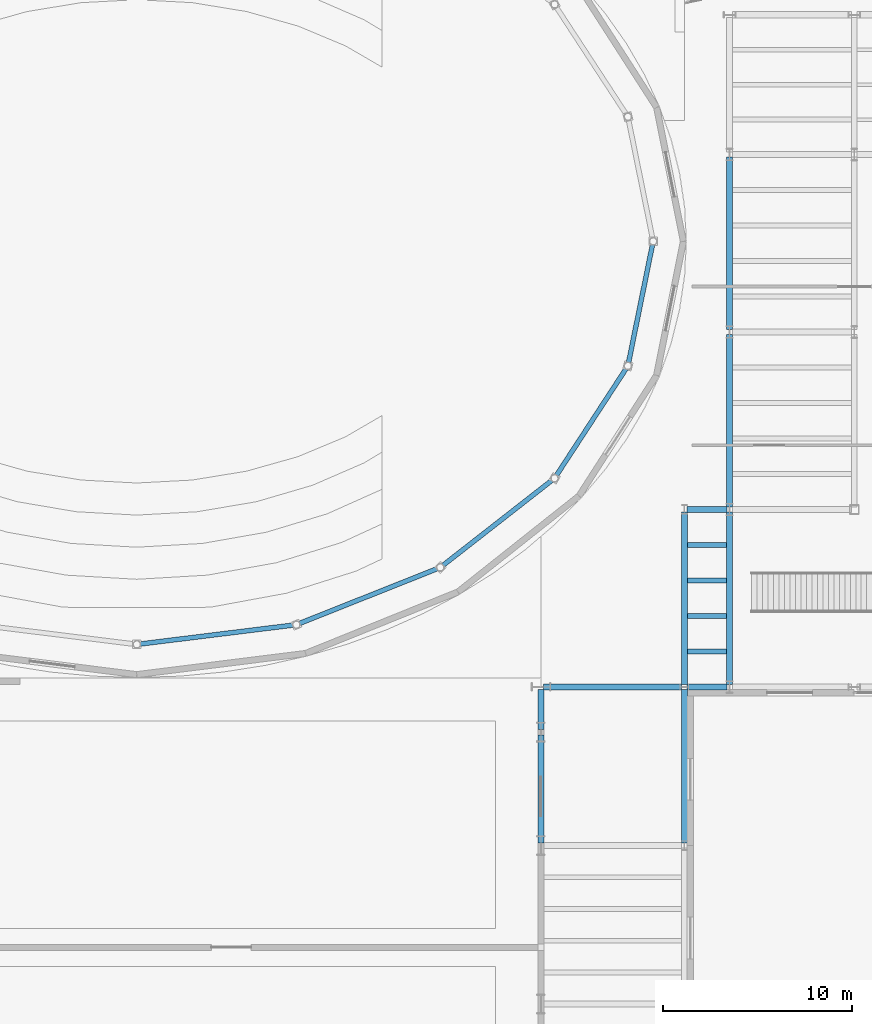
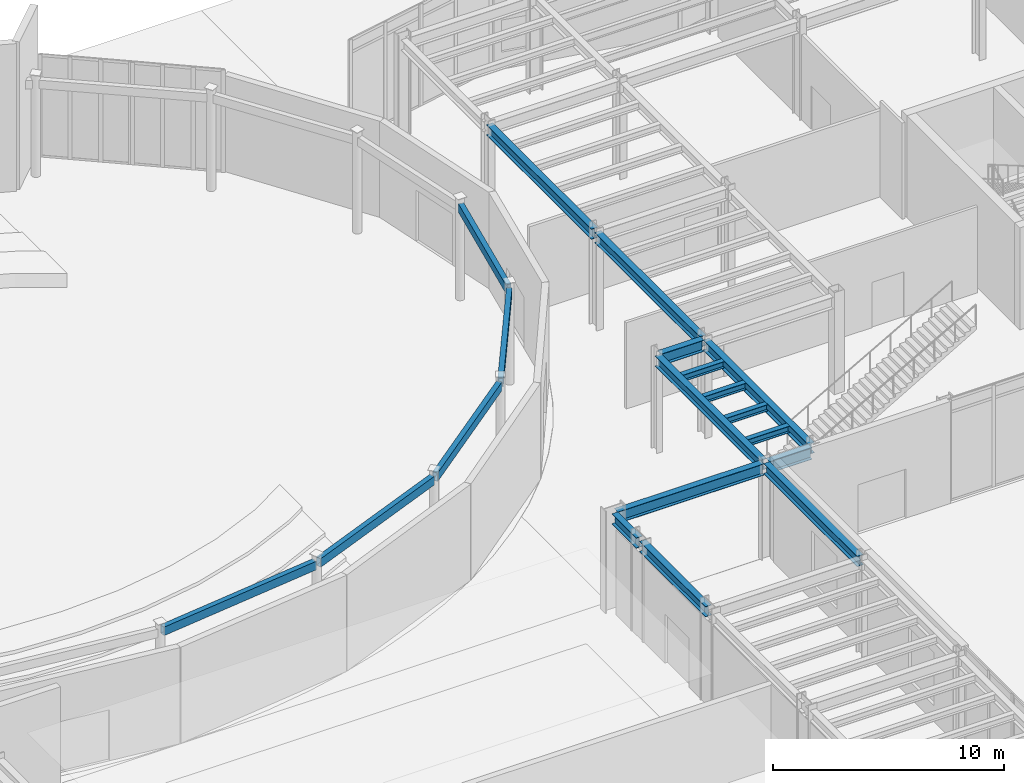
# One storey, part 37 of 94: 19 beams.
"""IFC4 building model written with IfcOpenShell, lengths in metres."""

from ifc_helpers import new_model, si_unit, direction, frame, origin, origin_2d, place, context, subcontext, project, spatial, hollow_rectangle, i_section, extrude, material, material_profile, profile_set, type_object, element, save


model = new_model("IFC4")

# Units and contexts
model_context = context("Model", 3, precision=1e-05, world=origin(), true_north=direction((0.0, 1.0)))
body_context = subcontext(model_context, "Body", "Model", "MODEL_VIEW")
ifc_project = project(units=[si_unit("LENGTHUNIT", "METRE"), si_unit("AREAUNIT", "SQUARE_METRE"), si_unit("VOLUMEUNIT", "CUBIC_METRE"), si_unit("PLANEANGLEUNIT", "RADIAN"), si_unit("MASSUNIT", "GRAM", prefix="KILO")], contexts=[model_context])

# Site, building, storey
site_placement = place(None, origin())
site = spatial("IfcSite", under=ifc_project, at=site_placement, CompositionType="ELEMENT")
building_placement = place(site_placement, origin())
building = spatial("IfcBuilding", under=site, at=building_placement, Name="Sollismere Congress Hotel", CompositionType="ELEMENT")
storey_placement = place(building_placement, origin())
storey = spatial("IfcBuildingStorey", under=building, at=storey_placement, Name="L00", CompositionType="ELEMENT", Elevation=0.0)

# Beams
ifc_material_1 = material(Name="Steel ASTM A500 Grade C", Category="steel")
ifc_material_profile_1 = material_profile(ifc_material_1, hollow_rectangle(XDim=0.25, YDim=0.449951171875, WallThickness=0.01611328125, at=origin_2d()), Name="HSS450X250X16")
ifc_profile_set_1 = profile_set([ifc_material_profile_1], Name="Steel ASTM A500 Grade C")
beam_type_1 = type_object("IfcBeamType", Name="BM-BX450", PredefinedType="HOLLOWCORE", material=ifc_profile_set_1)
beam_1_placement = place(storey_placement, frame((29.119140625, 69.064697265625, 4.889892578125), z_axis=(0.992444891413, 0.122691228327, 0.0), x_axis=(-0.122691228327, 0.992444891413, 0.0)))
element("IfcBeam", 1, at=beam_1_placement, inside=storey, type_object=beam_type_1, Name="Beam BM-L00-4181", PredefinedType="HOLLOWCORE", context=body_context, shape_type="SweptSolid", body=[
    extrude(hollow_rectangle(XDim=0.25, YDim=0.449951171875, WallThickness=0.01611328125, at=origin_2d()), origin(), (0.0, 0.0, 1.0), 8.27587890625),
])
beam_2_placement = place(storey_placement, frame((37.56298828125, 70.139404296875, 4.889892578125), z_axis=(0.929208384376, 0.369556191134, 0.0), x_axis=(-0.369556191134, 0.929208384376, 0.0)))
element("IfcBeam", 2, at=beam_2_placement, inside=storey, type_object=beam_type_1, Name="Beam BM-L00-4182", PredefinedType="HOLLOWCORE", context=body_context, shape_type="SweptSolid", body=[
    extrude(hollow_rectangle(XDim=0.25, YDim=0.449951171875, WallThickness=0.01611328125, at=origin_2d()), origin(), (0.0, 0.0, 1.0), 7.96533203125),
])
beam_3_placement = place(storey_placement, frame((45.17041015625, 73.201416015625, 4.889892578125), z_axis=(0.788263734949, 0.615337536775, 0.0), x_axis=(-0.615337536775, 0.788263734949, 0.0)))
element("IfcBeam", 3, at=beam_3_placement, inside=storey, type_object=beam_type_1, Name="Beam BM-L00-4183", PredefinedType="HOLLOWCORE", context=body_context, shape_type="SweptSolid", body=[
    extrude(hollow_rectangle(XDim=0.25, YDim=0.449951171875, WallThickness=0.01611328125, at=origin_2d()), origin(), (0.0, 0.0, 1.0), 7.43603515625),
])
beam_4_placement = place(storey_placement, frame((51.192138671875, 77.951416015625, 4.889892578125), z_axis=(0.546609343854, 0.837387738871, 0.0), x_axis=(-0.837387738871, 0.546609343854, 0.0)))
element("IfcBeam", 4, at=beam_4_placement, inside=storey, type_object=beam_type_1, Name="Beam BM-L00-4184", PredefinedType="HOLLOWCORE", context=body_context, shape_type="SweptSolid", body=[
    extrude(hollow_rectangle(XDim=0.25, YDim=0.449951171875, WallThickness=0.01611328125, at=origin_2d()), origin(), (0.0, 0.0, 1.0), 6.8671875),
])
beam_5_placement = place(storey_placement, frame((55.035400390625, 83.920166015625, 4.889892578125), z_axis=(0.198827417532, 0.980034518799, 0.0), x_axis=(-0.980034518799, 0.198827417532, 0.0)))
element("IfcBeam", 5, at=beam_5_placement, inside=storey, type_object=beam_type_1, Name="Beam BM-L00-4185", PredefinedType="HOLLOWCORE", context=body_context, shape_type="SweptSolid", body=[
    extrude(hollow_rectangle(XDim=0.25, YDim=0.449951171875, WallThickness=0.01611328125, at=origin_2d()), origin(), (0.0, 0.0, 1.0), 6.491943359375),
])
ifc_material_2 = material(Name="Steel ASTM A992 Grade 50", Category="steel")
ifc_material_profile_2 = material_profile(ifc_material_2, i_section(OverallWidth=0.31494140625, OverallDepth=0.551025390625, WebThickness=0.01513671875, FlangeThickness=0.0244140625, at=origin_2d()), Name="W21X122")
ifc_profile_set_2 = profile_set([ifc_material_profile_2], Name="Steel ASTM A992 Grade 50")
beam_type_2 = type_object("IfcBeamType", Name="BM-G21H", PredefinedType="BEAM", material=ifc_profile_set_2)
beam_6_placement = place(storey_placement, frame((50.39990234375, 58.5400390625, 4.839599609375), z_axis=(0.0, 1.0, 0.0), x_axis=(-1.0, 0.0, 0.0)))
element("IfcBeam", 6, at=beam_6_placement, inside=storey, type_object=beam_type_2, Name="Beam BM-L00-1243", PredefinedType="BEAM", context=body_context, shape_type="SweptSolid", body=[
    extrude(i_section(OverallWidth=0.31494140625, OverallDepth=0.551025390625, WebThickness=0.01513671875, FlangeThickness=0.0244140625, at=origin_2d()), origin(), (0.0, 0.0, 1.0), 5.719970703125),
])
beam_7_placement = place(storey_placement, frame((50.39990234375, 64.5400390625, 4.839599609375), z_axis=(0.0, 1.0, 0.0), x_axis=(-1.0, 0.0, 0.0)))
element("IfcBeam", 7, at=beam_7_placement, inside=storey, type_object=beam_type_2, Name="Beam BM-L00-1244", PredefinedType="BEAM", context=body_context, shape_type="SweptSolid", body=[
    extrude(i_section(OverallWidth=0.31494140625, OverallDepth=0.551025390625, WebThickness=0.01513671875, FlangeThickness=0.0244140625, at=origin_2d()), origin(), (0.0, 0.0, 1.0), 2.119873046875),
])
beam_8_placement = place(storey_placement, frame((58.0, 58.5400390625, 4.839599609375), z_axis=(0.0, 1.0, 0.0), x_axis=(-1.0, 0.0, 0.0)))
element("IfcBeam", 8, at=beam_8_placement, inside=storey, type_object=beam_type_2, Name="Beam BM-L00-1250", PredefinedType="BEAM", context=body_context, shape_type="SweptSolid", body=[
    extrude(i_section(OverallWidth=0.31494140625, OverallDepth=0.551025390625, WebThickness=0.01513671875, FlangeThickness=0.0244140625, at=origin_2d()), origin(), (0.0, 0.0, 1.0), 8.119873046875),
])
for number, where, z_axis, x_axis, name in (
    (9, (58.0, 66.93994140625, 4.839599609375), (0.0, 1.0, 0.0), (-1.0, 0.0, 0.0), "Beam BM-L00-1251"),
    (10, (60.39990234375, 66.93994140625, 4.839599609375), (0.0, 1.0, 0.0), (-1.0, 0.0, 0.0), "Beam BM-L00-1252"),
):
    element("IfcBeam", number, at=place(storey_placement, frame(where, z_axis=z_axis, x_axis=x_axis)), inside=storey, type_object=beam_type_2, Name=name, PredefinedType="BEAM", context=body_context, shape_type="SweptSolid", body=[
        extrude(i_section(OverallWidth=0.31494140625, OverallDepth=0.551025390625, WebThickness=0.01513671875, FlangeThickness=0.0244140625, at=origin_2d()), origin(), (0.0, 0.0, 1.0), 9.1201171875),
    ])
beam_9_placement = place(storey_placement, frame((60.39990234375, 76.340087890625, 4.839599609375), z_axis=(0.0, 1.0, 0.0), x_axis=(-1.0, 0.0, 0.0)))
element("IfcBeam", 11, at=beam_9_placement, inside=storey, type_object=beam_type_2, Name="Beam BM-L00-1253", PredefinedType="BEAM", context=body_context, shape_type="SweptSolid", body=[
    extrude(i_section(OverallWidth=0.31494140625, OverallDepth=0.551025390625, WebThickness=0.01513671875, FlangeThickness=0.0244140625, at=origin_2d()), origin(), (0.0, 0.0, 1.0), 9.119873046875),
])
beam_10_placement = place(storey_placement, frame((60.39990234375, 85.739990234375, 4.839599609375), z_axis=(0.0, 1.0, 0.0), x_axis=(-1.0, 0.0, 0.0)))
element("IfcBeam", 12, at=beam_10_placement, inside=storey, type_object=beam_type_2, Name="Beam BM-L00-1254", PredefinedType="BEAM", context=body_context, shape_type="SweptSolid", body=[
    extrude(i_section(OverallWidth=0.31494140625, OverallDepth=0.551025390625, WebThickness=0.01513671875, FlangeThickness=0.0244140625, at=origin_2d()), origin(), (0.0, 0.0, 1.0), 9.1201171875),
])
ifc_material_profile_3 = material_profile(ifc_material_2, i_section(OverallWidth=0.324951171875, OverallDepth=0.612060546875, WebThickness=0.0126953125, FlangeThickness=0.01904296875, at=origin_2d()), Name="W24X104")
ifc_profile_set_3 = profile_set([ifc_material_profile_3], Name="Steel ASTM A992 Grade 50")
beam_type_3 = type_object("IfcBeamType", Name="BM-G24", PredefinedType="BEAM", material=ifc_profile_set_3)
beam_11_placement = place(storey_placement, frame((50.5400390625, 66.800048828125, 4.80908203125), z_axis=(1.0, 0.0, 0.0), x_axis=(0.0, 1.0, 0.0)))
element("IfcBeam", 13, at=beam_11_placement, inside=storey, type_object=beam_type_3, Name="Beam BM-L00-1187", PredefinedType="BEAM", context=body_context, shape_type="SweptSolid", body=[
    extrude(i_section(OverallWidth=0.324951171875, OverallDepth=0.612060546875, WebThickness=0.0126953125, FlangeThickness=0.01904296875, at=origin_2d()), origin(), (0.0, 0.0, 1.0), 7.320068359375),
])
for number, where, z_axis, x_axis, name in (
    (14, (58.139892578125, 66.800048828125, 4.80908203125), (1.0, 0.0, 0.0), (0.0, 1.0, 0.0), "Beam BM-L00-1188"),
    (15, (58.139892578125, 76.199951171875, 4.80908203125), (1.0, 0.0, 0.0), (0.0, 1.0, 0.0), "Beam BM-L00-1200"),
):
    element("IfcBeam", number, at=place(storey_placement, frame(where, z_axis=z_axis, x_axis=x_axis)), inside=storey, type_object=beam_type_3, Name=name, PredefinedType="BEAM", context=body_context, shape_type="SweptSolid", body=[
        extrude(i_section(OverallWidth=0.324951171875, OverallDepth=0.612060546875, WebThickness=0.0126953125, FlangeThickness=0.01904296875, at=origin_2d()), origin(), (0.0, 0.0, 1.0), 2.1201171875),
    ])
ifc_material_profile_4 = material_profile(ifc_material_2, i_section(OverallWidth=0.25390625, OverallDepth=0.35595703125, WebThickness=0.010498046875, FlangeThickness=0.018310546875, at=origin_2d()), Name="W14X68")
ifc_profile_set_4 = profile_set([ifc_material_profile_4], Name="Steel ASTM A992 Grade 50")
beam_type_4 = type_object("IfcBeamType", Name="BM-J14", PredefinedType="JOIST", material=ifc_profile_set_4)
for number, where, z_axis, x_axis, name in (
    (16, (58.157470703125, 68.679931640625, 4.93701171875), (1.0, 0.0, 0.0), (0.0, 1.0, 0.0), "Beam BM-L00-1361"),
    (17, (58.157470703125, 70.56005859375, 4.93701171875), (1.0, 0.0, 0.0), (0.0, 1.0, 0.0), "Beam BM-L00-1362"),
    (18, (58.157470703125, 72.43994140625, 4.93701171875), (1.0, 0.0, 0.0), (0.0, 1.0, 0.0), "Beam BM-L00-1363"),
    (19, (58.157470703125, 74.320068359375, 4.93701171875), (1.0, 0.0, 0.0), (0.0, 1.0, 0.0), "Beam BM-L00-1364"),
):
    element("IfcBeam", number, at=place(storey_placement, frame(where, z_axis=z_axis, x_axis=x_axis)), inside=storey, type_object=beam_type_4, Name=name, PredefinedType="JOIST", context=body_context, shape_type="SweptSolid", body=[
        extrude(i_section(OverallWidth=0.25390625, OverallDepth=0.35595703125, WebThickness=0.010498046875, FlangeThickness=0.018310546875, at=origin_2d()), origin(), (0.0, 0.0, 1.0), 2.0849609375),
    ])

save(model, "model.ifc")
